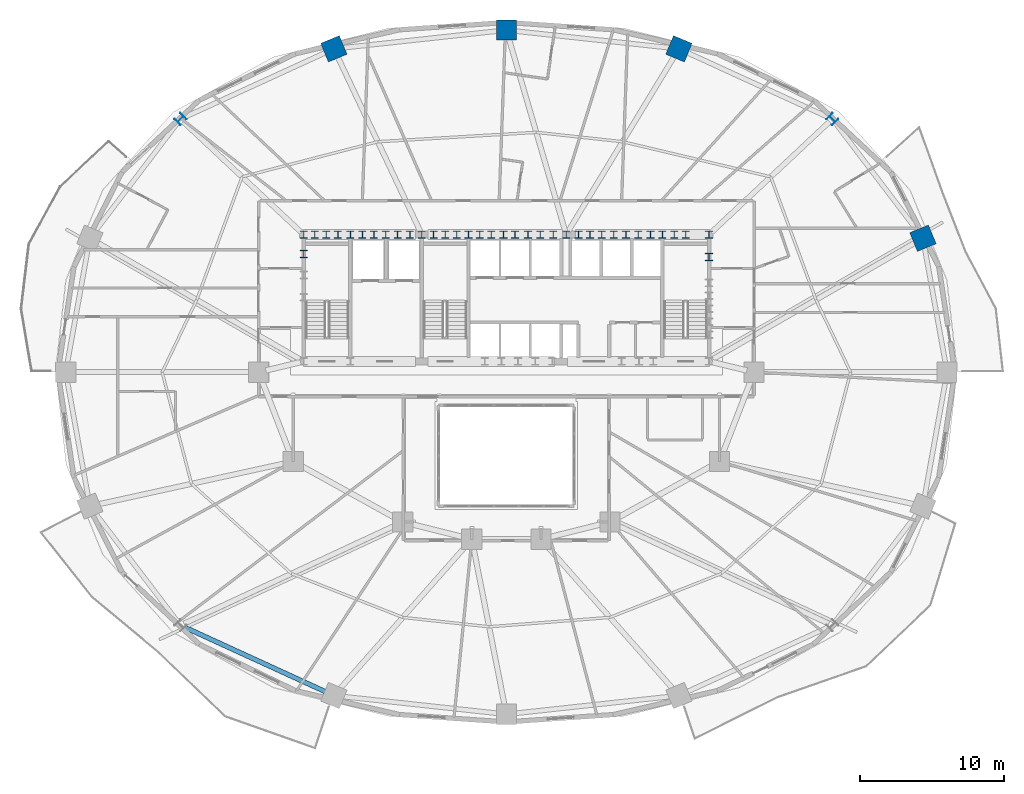
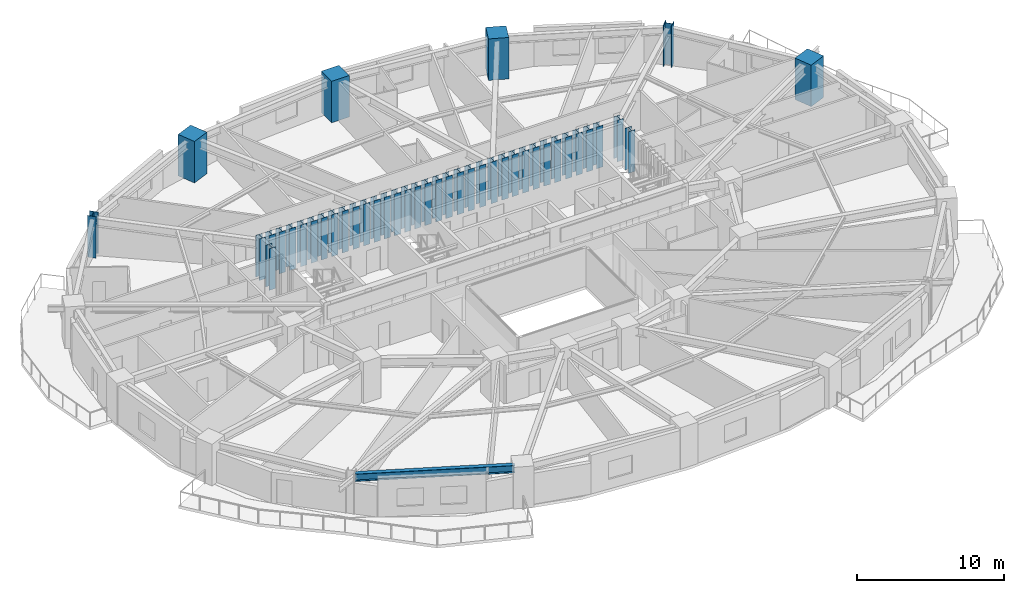
# One storey, part 2 of 17: 42 columns, 1 beam.
"""IFC4 building model written with IfcOpenShell, lengths in metres."""

from ifc_helpers import new_model, si_unit, direction, frame, origin, origin_2d, place, context, subcontext, project, spatial, rectangle, i_section, extrude, material, material_profile, profile_set, type_object, element, save


model = new_model("IFC4")

# Units and contexts
model_context = context("Model", 3, precision=1e-05, world=origin(), true_north=direction((0.0, 1.0)))
body_context = subcontext(model_context, "Body", "Model", "MODEL_VIEW")
ifc_project = project(units=[si_unit("LENGTHUNIT", "METRE"), si_unit("AREAUNIT", "SQUARE_METRE"), si_unit("VOLUMEUNIT", "CUBIC_METRE"), si_unit("PLANEANGLEUNIT", "RADIAN"), si_unit("MASSUNIT", "GRAM", prefix="KILO")], contexts=[model_context])

# Site, building, storey
site_placement = place(None, origin())
site = spatial("IfcSite", under=ifc_project, at=site_placement, CompositionType="ELEMENT")
building_placement = place(site_placement, origin())
building = spatial("IfcBuilding", under=site, at=building_placement, Name="Haldorwick Loom Tower", CompositionType="ELEMENT")
storey_placement = place(building_placement, frame((0.0, 0.0, 44.699951171875)))
storey = spatial("IfcBuildingStorey", under=building, at=storey_placement, Name="L11", CompositionType="ELEMENT", Elevation=44.699951171875)

# Columns
ifc_material_1 = material(Name="Concrete C60 (60 MPa)", Category="concrete")
ifc_material_profile_1 = material_profile(ifc_material_1, rectangle(XDim=1.39990234375, YDim=1.39990234375, at=origin_2d()), Name="RC1400X1400", Category="concrete")
ifc_profile_set_1 = profile_set([ifc_material_profile_1], Name="Concrete C60 (60 MPa)")
column_type_1 = type_object("IfcColumnType", Name="STR-COL-RC1400", PredefinedType="PILASTER", material=ifc_profile_set_1)
for number, where, z_axis, x_axis, name in (
    (1, (64.91748046875, 35.29931640625, 0.0), (0.0, 0.0, 1.0), (0.923879532511, 0.382683432365, 0.0), "L11 Perimeter Pier Column P02"),
    (2, (47.97802734375, 48.4501953125, 0.0), (0.0, 0.0, 1.0), (0.382683432365, 0.923879532511, 0.0), "L11 Perimeter Pier Column P04"),
    (3, (36.0, 49.75, 0.0), (0.0, 0.0, 1.0), (0.0, 1.0, 0.0), "L11 Perimeter Pier Column P05"),
    (4, (24.02197265625, 48.4501953125, 0.0), (0.0, 0.0, 1.0), (-0.382683432365, 0.923879532511, 0.0), "L11 Perimeter Pier Column P06"),
):
    element("IfcColumn", number, at=place(storey_placement, frame(where, z_axis=z_axis, x_axis=x_axis)), inside=storey, type_object=column_type_1, Name=name, PredefinedType="PILASTER", context=body_context, shape_type="SweptSolid", body=[
        extrude(rectangle(XDim=1.39990234375, YDim=1.39990234375, at=origin_2d()), origin(), (0.0, 0.0, 1.0), 3.449951171875),
    ])
ifc_material_2 = material(Name="Steel CSA G40.21 350WT", Category="steel")
ifc_material_profile_2 = material_profile(ifc_material_2, i_section(OverallWidth=0.5, OverallDepth=0.5, WebThickness=0.02197265625, FlangeThickness=0.031982421875, at=origin_2d()), Name="WWF500X500", Category="steel")
ifc_profile_set_2 = profile_set([ifc_material_profile_2], Name="Steel CSA G40.21 350WT")
column_type_2 = type_object("IfcColumnType", Name="STR-COL-WWF500", PredefinedType="COLUMN", material=ifc_profile_set_2)
for number, where, z_axis, x_axis, name in (
    (5, (21.929931640625, 35.550048828125, 0.0), (0.0, 0.0, 1.0), (1.0, 0.0, 0.0), "L11 Core Pilaster CB-01"),
    (6, (23.5, 35.550048828125, 0.0), (0.0, 0.0, 1.0), (1.0, 0.0, 0.0), "L11 Core Pilaster CB-02"),
    (7, (25.169921875, 35.550048828125, 0.0), (0.0, 0.0, 1.0), (1.0, 0.0, 0.0), "L11 Core Pilaster CB-03"),
    (8, (26.800048828125, 35.550048828125, 0.0), (0.0, 0.0, 1.0), (1.0, 0.0, 0.0), "L11 Core Pilaster CB-04"),
    (9, (28.449951171875, 35.550048828125, 0.0), (0.0, 0.0, 1.0), (1.0, 0.0, 0.0), "L11 Core Pilaster CB-05"),
    (10, (30.1298828125, 35.550048828125, 0.0), (0.0, 0.0, 1.0), (1.0, 0.0, 0.0), "L11 Core Pilaster CB-06"),
    (11, (31.75, 35.550048828125, 0.0), (0.0, 0.0, 1.0), (1.0, 0.0, 0.0), "L11 Core Pilaster CB-07"),
    (12, (33.3701171875, 35.550048828125, 0.0), (0.0, 0.0, 1.0), (1.0, 0.0, 0.0), "L11 Core Pilaster CB-08"),
    (13, (34.949951171875, 35.550048828125, 0.0), (0.0, 0.0, 1.0), (1.0, 0.0, 0.0), "L11 Core Pilaster CB-09"),
    (14, (36.60009765625, 35.550048828125, 0.0), (0.0, 0.0, 1.0), (1.0, 0.0, 0.0), "L11 Core Pilaster CB-10"),
    (15, (38.35009765625, 35.550048828125, 0.0), (0.0, 0.0, 1.0), (1.0, 0.0, 0.0), "L11 Core Pilaster CB-11"),
    (16, (40.14990234375, 35.550048828125, 0.0), (0.0, 0.0, 1.0), (1.0, 0.0, 0.0), "L11 Core Pilaster CB-12"),
    (17, (41.800048828125, 35.550048828125, 0.0), (0.0, 0.0, 1.0), (1.0, 0.0, 0.0), "L11 Core Pilaster CB-13"),
    (18, (43.449951171875, 35.550048828125, 0.0), (0.0, 0.0, 1.0), (1.0, 0.0, 0.0), "L11 Core Pilaster CB-14"),
    (19, (45.14990234375, 35.550048828125, 0.0), (0.0, 0.0, 1.0), (1.0, 0.0, 0.0), "L11 Core Pilaster CB-15"),
    (20, (46.830078125, 35.550048828125, 0.0), (0.0, 0.0, 1.0), (1.0, 0.0, 0.0), "L11 Core Pilaster CB-16"),
    (21, (48.449951171875, 35.550048828125, 0.0), (0.0, 0.0, 1.0), (1.0, 0.0, 0.0), "L11 Core Pilaster CB-17"),
    (22, (50.070068359375, 35.550048828125, 0.0), (0.0, 0.0, 1.0), (1.0, 0.0, 0.0), "L11 Core Pilaster CB-18"),
    (23, (21.929931640625, 34.199951171875, 0.0), (0.0, 0.0, 1.0), (1.0, 0.0, 0.0), "L11 Core Pilaster CB-28"),
    (24, (50.070068359375, 34.0, 0.0), (0.0, 0.0, 1.0), (1.0, 0.0, 0.0), "L11 Core Pilaster CB-32"),
    (25, (22.699951171875, 35.550048828125, 0.0), (0.0, 0.0, 1.0), (1.0, 0.0, 0.0), "L11 Core Pilaster CB-33"),
    (26, (27.6201171875, 35.550048828125, 0.0), (0.0, 0.0, 1.0), (1.0, 0.0, 0.0), "L11 Core Pilaster CB-34"),
    (27, (32.550048828125, 35.550048828125, 0.0), (0.0, 0.0, 1.0), (1.0, 0.0, 0.0), "L11 Core Pilaster CB-35"),
    (28, (37.5, 35.550048828125, 0.0), (0.0, 0.0, 1.0), (1.0, 0.0, 0.0), "L11 Core Pilaster CB-36"),
    (29, (42.6201171875, 35.550048828125, 0.0), (0.0, 0.0, 1.0), (1.0, 0.0, 0.0), "L11 Core Pilaster CB-37"),
    (30, (47.64990234375, 35.550048828125, 0.0), (0.0, 0.0, 1.0), (1.0, 0.0, 0.0), "L11 Core Pilaster CB-38"),
    (31, (24.300048828125, 35.550048828125, 0.0), (0.0, 0.0, 1.0), (1.0, 0.0, 0.0), "L11 Core Pilaster CB-39"),
    (32, (26.0, 35.550048828125, 0.0), (0.0, 0.0, 1.0), (1.0, 0.0, 0.0), "L11 Core Pilaster CB-40"),
    (33, (29.300048828125, 35.550048828125, 0.0), (0.0, 0.0, 1.0), (1.0, 0.0, 0.0), "L11 Core Pilaster CB-41"),
    (34, (30.949951171875, 35.550048828125, 0.0), (0.0, 0.0, 1.0), (1.0, 0.0, 0.0), "L11 Core Pilaster CB-42"),
    (35, (34.14990234375, 35.550048828125, 0.0), (0.0, 0.0, 1.0), (1.0, 0.0, 0.0), "L11 Core Pilaster CB-43"),
    (36, (35.800048828125, 35.550048828125, 0.0), (0.0, 0.0, 1.0), (1.0, 0.0, 0.0), "L11 Core Pilaster CB-44"),
    (37, (39.25, 35.550048828125, 0.0), (0.0, 0.0, 1.0), (1.0, 0.0, 0.0), "L11 Core Pilaster CB-45"),
    (38, (41.0, 35.550048828125, 0.0), (0.0, 0.0, 1.0), (1.0, 0.0, 0.0), "L11 Core Pilaster CB-46"),
    (39, (44.300048828125, 35.550048828125, 0.0), (0.0, 0.0, 1.0), (1.0, 0.0, 0.0), "L11 Core Pilaster CB-47"),
    (40, (46.0, 35.550048828125, 0.0), (0.0, 0.0, 1.0), (1.0, 0.0, 0.0), "L11 Core Pilaster CB-48"),
):
    element("IfcColumn", number, at=place(storey_placement, frame(where, z_axis=z_axis, x_axis=x_axis)), inside=storey, type_object=column_type_2, Name=name, PredefinedType="COLUMN", context=body_context, shape_type="SweptSolid", body=[
        extrude(i_section(OverallWidth=0.5, OverallDepth=0.5, WebThickness=0.02197265625, FlangeThickness=0.031982421875, at=origin_2d()), origin(), (0.0, 0.0, 1.0), 3.449951171875),
    ])
ifc_material_profile_3 = material_profile(ifc_material_2, i_section(OverallWidth=0.60009765625, OverallDepth=0.60009765625, WebThickness=0.02490234375, FlangeThickness=0.035888671875, at=origin_2d()), Name="WWF600X600", Category="steel")
ifc_profile_set_3 = profile_set([ifc_material_profile_3], Name="Steel CSA G40.21 350WT")
column_type_3 = type_object("IfcColumnType", Name="STR-COL-WWF600", PredefinedType="COLUMN", material=ifc_profile_set_3)
for number, where, z_axis, x_axis, name in (
    (41, (58.630126953125, 43.571533203125, 0.0), (0.0, 0.0, 1.0), (0.707106781187, 0.707106781187, 0.0), "L11 Perimeter Pier Column P03"),
    (42, (13.369873046875, 43.571533203125, 0.0), (0.0, 0.0, 1.0), (-0.707106781187, 0.707106781187, 0.0), "L11 Perimeter Pier Column P07"),
):
    element("IfcColumn", number, at=place(storey_placement, frame(where, z_axis=z_axis, x_axis=x_axis)), inside=storey, type_object=column_type_3, Name=name, PredefinedType="COLUMN", context=body_context, shape_type="SweptSolid", body=[
        extrude(i_section(OverallWidth=0.60009765625, OverallDepth=0.60009765625, WebThickness=0.02490234375, FlangeThickness=0.035888671875, at=origin_2d()), origin(), (0.0, 0.0, 1.0), 3.449951171875),
    ])

# Beam
ifc_material_3 = material(Name="Steel CSA G40.21 350W", Category="steel")
ifc_material_profile_4 = material_profile(ifc_material_3, i_section(OverallWidth=0.324951171875, OverallDepth=0.615966796875, WebThickness=0.013916015625, FlangeThickness=0.021484375, at=origin_2d()), Name="W610X174", Category="steel")
ifc_profile_set_4 = profile_set([ifc_material_profile_4], Name="Steel CSA G40.21 350W")
beam_type = type_object("IfcBeamType", Name="STR-BM-SP610", PredefinedType="SPANDREL", material=ifc_profile_set_4)
beam_placement = place(storey_placement, frame((13.619873046875, 8.31396484375, 2.902099609375), z_axis=(0.909173805321, -0.416416848504, 0.0), x_axis=(0.416416848504, 0.909173805321, 0.0)))
element("IfcBeam", 43, at=beam_placement, inside=storey, type_object=beam_type, Name="L11 Perimeter Spandrel 11", PredefinedType="SPANDREL", context=body_context, shape_type="SweptSolid", body=[
    extrude(i_section(OverallWidth=0.324951171875, OverallDepth=0.615966796875, WebThickness=0.013916015625, FlangeThickness=0.021484375, at=origin_2d()), origin(), (0.0, 0.0, 1.0), 10.92138671875),
])

save(model, "model.ifc")
